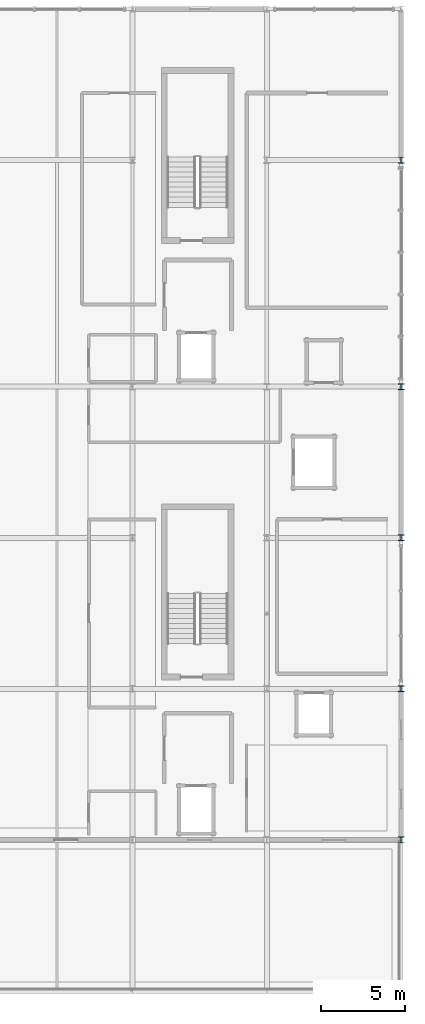
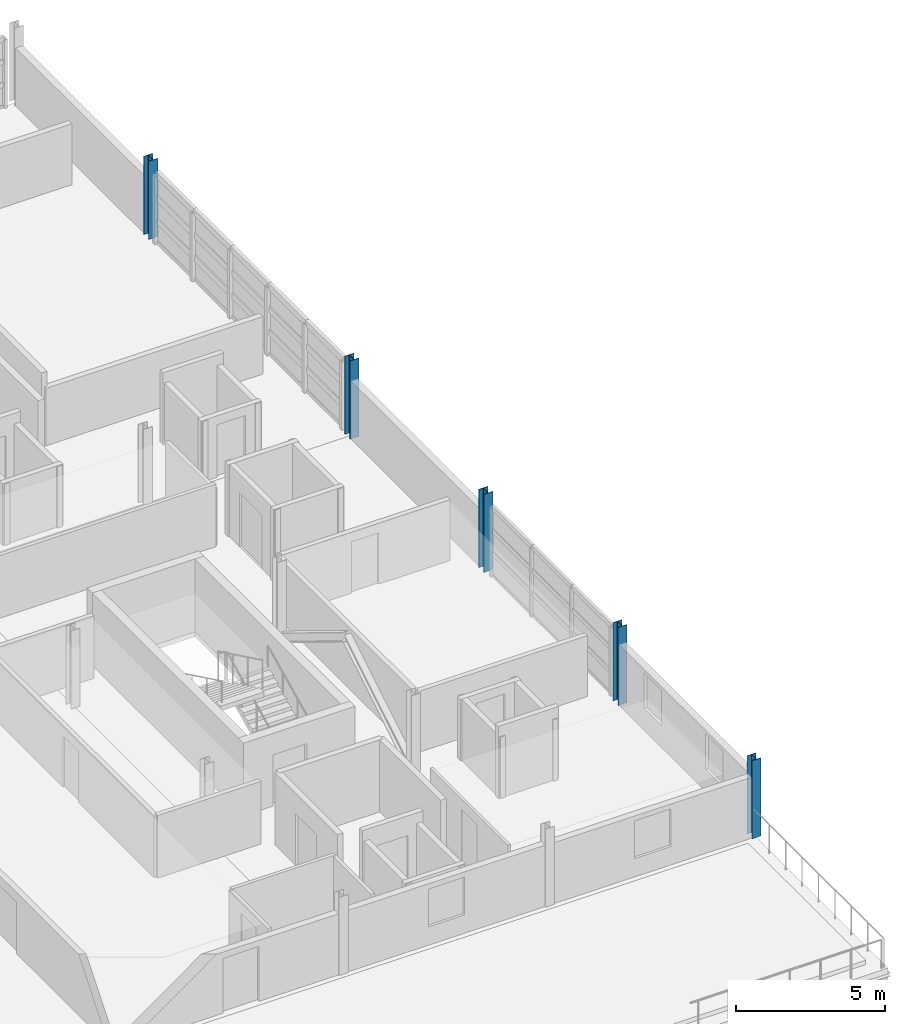
# One storey, part 4 of 30: 5 columns.
"""IFC4 building model written with IfcOpenShell, lengths in metres."""

from ifc_helpers import new_model, si_unit, direction, frame, origin, origin_2d, place, context, subcontext, project, spatial, i_section, extrude, material, material_profile, profile_set, type_object, element, save


model = new_model("IFC4")

# Units and contexts
model_context = context("Model", 3, precision=1e-05, world=origin(), true_north=direction((0.0, 1.0)))
body_context = subcontext(model_context, "Body", "Model", "MODEL_VIEW")
ifc_project = project(units=[si_unit("LENGTHUNIT", "METRE"), si_unit("AREAUNIT", "SQUARE_METRE"), si_unit("VOLUMEUNIT", "CUBIC_METRE"), si_unit("PLANEANGLEUNIT", "RADIAN"), si_unit("MASSUNIT", "GRAM", prefix="KILO")], contexts=[model_context])

# Site, building, storey
site_placement = place(None, origin())
site = spatial("IfcSite", under=ifc_project, at=site_placement, CompositionType="ELEMENT")
building_placement = place(site_placement, origin())
building = spatial("IfcBuilding", under=site, at=building_placement, Name="Chuanluo Vaults Station", CompositionType="ELEMENT")
storey_placement = place(building_placement, frame((0.0, 0.0, 17.60009765625)))
storey = spatial("IfcBuildingStorey", under=building, at=storey_placement, Name="L04", CompositionType="ELEMENT", Elevation=17.60009765625)

# Columns
ifc_material = material(Name="Steel Q355C", Category="steel")
ifc_material_profile = material_profile(ifc_material, i_section(OverallWidth=0.35009765625, OverallDepth=0.35009765625, WebThickness=0.011962890625, FlangeThickness=0.01904296875, FilletRadius=0.02001953125, at=origin_2d()))
ifc_profile_set = profile_set([ifc_material_profile], Name="Steel Q355C")
column_type = type_object("IfcColumnType", Name="COL-STL-HW350", PredefinedType="COLUMN", material=ifc_profile_set)
for number, where, z_axis, x_axis, name in (
    (1, (188.0, 76.5, 0.0), (0.0, 0.0, 1.0), (1.0, 0.0, 0.0), "Column L04-169"),
    (2, (188.0, 85.5, 0.0), (0.0, 0.0, 1.0), (1.0, 0.0, 0.0), "Column L04-170"),
    (3, (188.0, 94.5, 0.0), (0.0, 0.0, 1.0), (1.0, 0.0, 0.0), "Column L04-171"),
    (4, (188.0, 103.5, 0.0), (0.0, 0.0, 1.0), (1.0, 0.0, 0.0), "Column L04-172"),
    (5, (188.0, 117.0, 0.0), (0.0, 0.0, 1.0), (1.0, 0.0, 0.0), "Column L04-173"),
):
    element("IfcColumn", number, at=place(storey_placement, frame(where, z_axis=z_axis, x_axis=x_axis)), inside=storey, type_object=column_type, Name=name, PredefinedType="COLUMN", context=body_context, shape_type="SweptSolid", body=[
        extrude(i_section(OverallWidth=0.35009765625, OverallDepth=0.35009765625, WebThickness=0.011962890625, FlangeThickness=0.01904296875, FilletRadius=0.02001953125, at=origin_2d()), origin(), (0.0, 0.0, 1.0), 3.199951171875),
    ])

save(model, "model.ifc")
